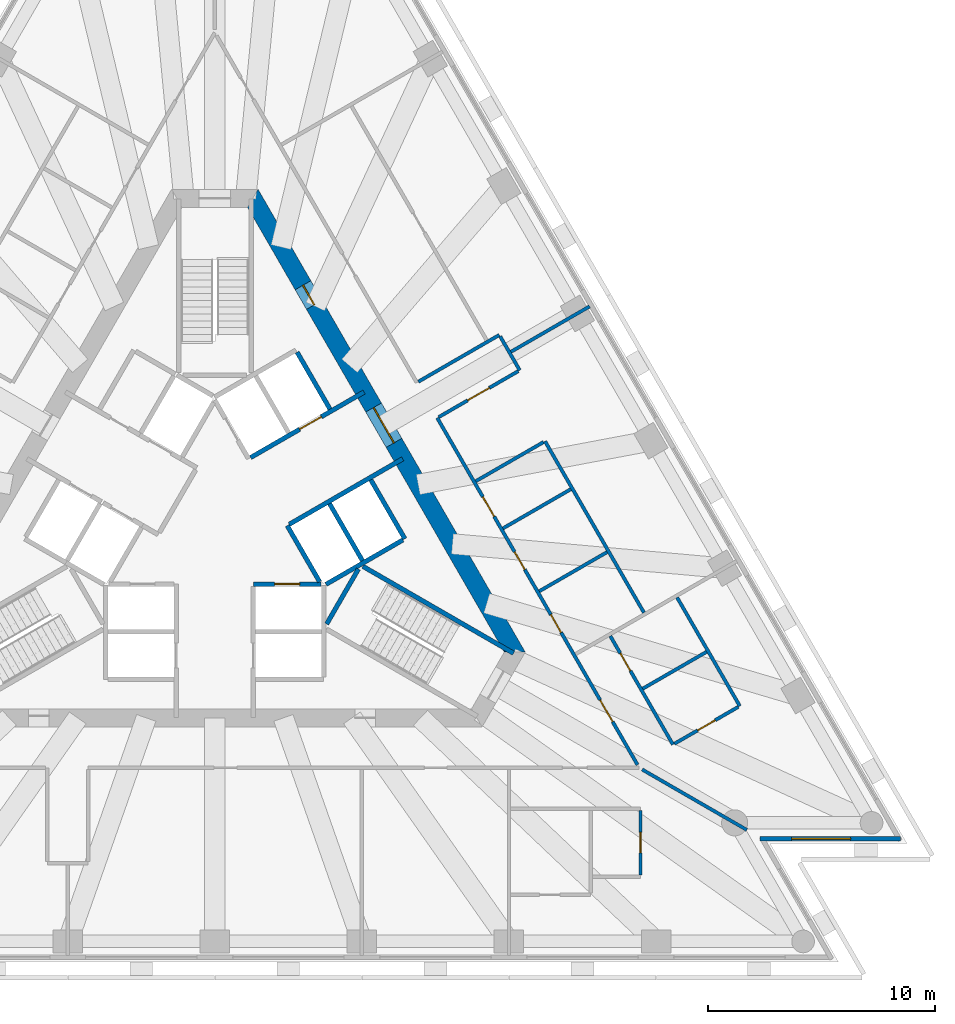
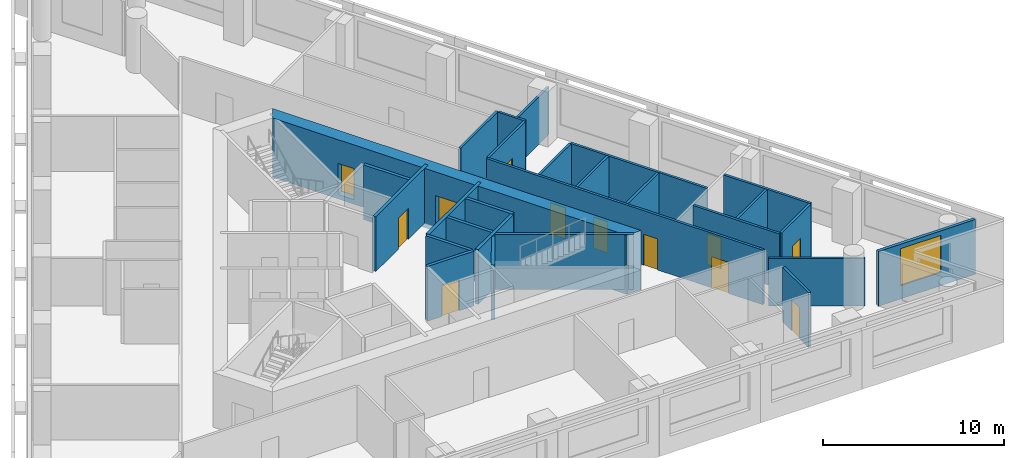
# One storey, part 5 of 9: 27 walls, 12 doors, 1 window, 13 openings.
"""IFC4 building model written with IfcOpenShell, lengths in metres."""

from ifc_helpers import new_model, si_unit, direction, frame, frame_2d, origin, place, context, subcontext, project, spatial, polyline, rectangle, outline, extrude, material, layer, layer_set, layer_usage, type_object, element, fill, save


model = new_model("IFC4")

# Units and contexts
model_context = context("Model", 3, precision=1e-05, world=origin(), true_north=direction((0.0, 1.0)))
body_context = subcontext(model_context, "Body", "Model", "MODEL_VIEW")
ifc_project = project(units=[si_unit("LENGTHUNIT", "METRE"), si_unit("AREAUNIT", "SQUARE_METRE"), si_unit("VOLUMEUNIT", "CUBIC_METRE"), si_unit("PLANEANGLEUNIT", "RADIAN"), si_unit("MASSUNIT", "GRAM", prefix="KILO")], contexts=[model_context])

# Site, building, storey
site_placement = place(None, origin())
site = spatial("IfcSite", under=ifc_project, at=site_placement, CompositionType="ELEMENT")
building_placement = place(site_placement, origin())
building = spatial("IfcBuilding", under=site, at=building_placement, Name="Triada Interchange Tower", CompositionType="ELEMENT")
storey_placement = place(building_placement, frame((0.0, 0.0, 172.300048828125)))
storey = spatial("IfcBuildingStorey", under=building, at=storey_placement, Name="L40", CompositionType="ELEMENT", Elevation=172.300048828125)

# Wall, opening, door
ifc_material_1 = material(Name="Concrete C30/37", Category="concrete")
ifc_layer_1 = layer(ifc_material_1, 0.199951171875)
ifc_layer_set_1 = layer_set([ifc_layer_1], Name="CORE WALL 200 EI 120")
wall_type_1 = type_object("IfcWallType", Name="CORE WALL 200 EI 120", PredefinedType="SOLIDWALL", material=ifc_layer_set_1)
wall_1_placement = place(storey_placement, frame((1.702880859375, -2.699951171875, 0.0), z_axis=(0.0, 0.0, 1.0), x_axis=(1.0, 0.0, 0.0)))
wall_1 = element("IfcWall", 1, at=wall_1_placement, inside=storey, type_object=wall_type_1, Name="Wall L38 57", PredefinedType="SOLIDWALL", context=body_context, shape_type="SweptSolid", body=[
    extrude(rectangle(XDim=2.97314453125, YDim=0.199951171875, at=frame_2d((1.486572265625, 0.0))), origin(), (0.0, 0.0, 1.0), 3.699951171875),
])
opening_1_placement = place(wall_1_placement, frame((0.93603515625, 0.0, 0.0)))
opening_1 = element("IfcOpeningElement", 2, at=opening_1_placement, cuts=wall_1, Name="Opening LD-LR1", PredefinedType="OPENING", context=body_context, shape_type="SweptSolid", body=[
    extrude(rectangle(XDim=1.10009765625, YDim=2.10009765625, at=frame_2d((0.550048828125, 1.050048828125))), frame((0.0, 0.10986328125, 0.0), z_axis=(0.0, -1.0, 0.0), x_axis=(1.0, 0.0, 0.0)), (0.0, 0.0, 1.0), 0.219970703125),
])
ifc_material_2 = material(Name="Steel S235 door leaf", Category="steel")
door_type_1 = type_object("IfcDoorType", Name="LIFT LANDING DOOR 1100 EI 120", OperationType="SLIDING_TO_LEFT", PredefinedType="DOOR", material=ifc_material_2)
door_1_placement = place(opening_1_placement, origin())
door_1 = element("IfcDoor", 3, at=door_1_placement, inside=storey, type_object=door_type_1, Name="LR1 landing door L40", OperationType="SLIDING_TO_LEFT", OverallHeight=2.10009765625, OverallWidth=1.10009765625, PredefinedType="DOOR", context=body_context, shape_type="SweptSolid", body=[
    extrude(rectangle(XDim=1.10009765625, YDim=2.10009765625, at=frame_2d((0.550048828125, 1.050048828125))), frame((0.0, 0.02490234375, 0.0), z_axis=(0.0, -1.0, 0.0), x_axis=(1.0, 0.0, 0.0)), (0.0, 0.0, 1.0), 0.050048828125),
])
fill(opening_1, door_1)

# Wall
wall_2_placement = place(storey_placement, frame((3.18994140625, -0.125, 0.0), z_axis=(0.0, 0.0, 1.0), x_axis=(0.499988658015, -0.866031951983, 0.0)))
element("IfcWall", 4, at=wall_2_placement, inside=storey, type_object=wall_type_1, Name="Wall L38 60", PredefinedType="SOLIDWALL", context=body_context, shape_type="SweptSolid", body=[
    extrude(rectangle(XDim=2.85791015625, YDim=0.199951171875, at=frame_2d((1.428955078125, 0.0))), origin(), (0.0, 0.0, 1.0), 3.699951171875),
])

# Wall, opening, door
wall_3_placement = place(storey_placement, frame((1.576904296875, 2.8740234375, 0.0), z_axis=(0.0, 0.0, 1.0), x_axis=(0.866073694534, 0.499916348638, 0.0)))
wall_3 = element("IfcWall", 5, at=wall_3_placement, inside=storey, type_object=wall_type_1, Name="Wall L38 61", PredefinedType="SOLIDWALL", context=body_context, shape_type="SweptSolid", body=[
    extrude(rectangle(XDim=5.77685546875, YDim=0.199951171875, at=frame_2d((2.888427734375, 0.0))), origin(), (0.0, 0.0, 1.0), 3.699951171875),
])
opening_2_placement = place(wall_3_placement, frame((2.4970703125, 0.0, 0.0)))
opening_2 = element("IfcOpeningElement", 6, at=opening_2_placement, cuts=wall_3, Name="Opening LD-LR6", PredefinedType="OPENING", context=body_context, shape_type="SweptSolid", body=[
    extrude(rectangle(XDim=1.10009765625, YDim=2.10009765625, at=frame_2d((0.550048828125, 1.050048828125))), frame((0.0, 0.10986328125, 0.0), z_axis=(0.0, -1.0, 0.0), x_axis=(1.0, 0.0, 0.0)), (0.0, 0.0, 1.0), 0.219970703125),
])
door_2_placement = place(opening_2_placement, origin())
door_2 = element("IfcDoor", 7, at=door_2_placement, inside=storey, type_object=door_type_1, Name="LR6 landing door L40", OperationType="SLIDING_TO_LEFT", OverallHeight=2.10009765625, OverallWidth=1.10009765625, PredefinedType="DOOR", context=body_context, shape_type="SweptSolid", body=[
    extrude(rectangle(XDim=1.10009765625, YDim=2.10009765625, at=frame_2d((0.550048828125, 1.050048828125))), frame((0.0, 0.02490234375, 0.0), z_axis=(0.0, -1.0, 0.0), x_axis=(1.0, 0.0, 0.0)), (0.0, 0.0, 1.0), 0.050048828125),
])
fill(opening_2, door_2)

# Walls
wall_4_placement = place(storey_placement, frame((3.6259765625, 7.52001953125, 0.0), z_axis=(0.0, 0.0, 1.0), x_axis=(0.500060147554, -0.865990674793, 0.0)))
element("IfcWall", 8, at=wall_4_placement, inside=storey, type_object=wall_type_1, Name="Wall L38 64", PredefinedType="SOLIDWALL", context=body_context, shape_type="SweptSolid", body=[
    extrude(rectangle(XDim=2.899658203125, YDim=0.199951171875, at=frame_2d((1.44970703125, 0.0))), origin(), (0.0, 0.0, 1.0), 3.699951171875),
])
wall_5_placement = place(storey_placement, frame((6.8759765625, 1.89111328125, 0.0), z_axis=(0.0, 0.0, 1.0), x_axis=(0.499990139034, -0.866031096941, 0.0)))
element("IfcWall", 9, at=wall_5_placement, inside=storey, type_object=wall_type_1, Name="Wall L38 65", PredefinedType="SOLIDWALL", context=body_context, shape_type="SweptSolid", body=[
    extrude(rectangle(XDim=3.0, YDim=0.199951171875, at=frame_2d((1.5, 0.0))), origin(), (0.0, 0.0, 1.0), 3.699951171875),
])
wall_6_placement = place(storey_placement, frame((5.056884765625, 0.841064453125, 0.0), z_axis=(0.0, 0.0, 1.0), x_axis=(0.50012328804, -0.865954211699, 0.0)))
element("IfcWall", 10, at=wall_6_placement, inside=storey, type_object=wall_type_1, Name="Wall L38 67", PredefinedType="SOLIDWALL", context=body_context, shape_type="SweptSolid", body=[
    extrude(rectangle(XDim=2.899658203125, YDim=0.199951171875, at=frame_2d((1.44970703125, 0.0))), origin(), (0.0, 0.0, 1.0), 3.699951171875),
])
wall_7_placement = place(storey_placement, frame((3.278076171875, -0.071044921875, 0.0), z_axis=(0.0, 0.0, 1.0), x_axis=(0.865929348003, 0.5001663366, 0.0)))
element("IfcWall", 11, at=wall_7_placement, inside=storey, type_object=wall_type_1, Name="Wall L38 68", PredefinedType="SOLIDWALL", context=body_context, shape_type="SweptSolid", body=[
    extrude(rectangle(XDim=5.7763671875, YDim=0.199951171875, at=frame_2d((2.88818359375, 0.0))), origin(), (0.0, 0.0, 1.0), 3.699951171875),
])
wall_8_placement = place(storey_placement, frame((4.89990234375, -2.714111328125, 0.0), z_axis=(0.0, 0.0, 1.0), x_axis=(0.865992350556, 0.500057245502, 0.0)))
element("IfcWall", 12, at=wall_8_placement, inside=storey, type_object=wall_type_1, Name="Wall L38 69", PredefinedType="SOLIDWALL", context=body_context, shape_type="SweptSolid", body=[
    extrude(rectangle(XDim=3.91357421875, YDim=0.199951171875, at=frame_2d((1.956787109375, 0.0))), origin(), (0.0, 0.0, 1.0), 3.699951171875),
])
ifc_layer_2 = layer(ifc_material_1, 0.199951171875)
ifc_layer_set_2 = layer_set([ifc_layer_2], Name="CORE WALL 200 REI 240")
wall_type_2 = type_object("IfcWallType", Name="CORE WALL 200 REI 240", PredefinedType="SOLIDWALL", material=ifc_layer_set_2)
wall_9_placement = place(storey_placement, frame((4.928955078125, -4.4619140625, 0.0), z_axis=(0.0, 0.0, 1.0), x_axis=(0.500200581029, 0.865909567298, 0.0)))
element("IfcWall", 13, at=wall_9_placement, inside=storey, type_object=wall_type_2, Name="Wall L38 92", PredefinedType="SOLIDWALL", context=body_context, shape_type="SweptSolid", body=[
    extrude(rectangle(XDim=2.799072265625, YDim=0.199951171875, at=frame_2d((1.3994140625, 0.0))), origin(), (0.0, 0.0, 1.0), 3.699951171875),
])
wall_10_placement = place(storey_placement, frame((6.529052734375, -1.922119140625, 0.0), z_axis=(0.0, 0.0, 1.0), x_axis=(0.866060938598, -0.499938446846, 0.0)))
element("IfcWall", 14, at=wall_10_placement, inside=storey, type_object=wall_type_2, Name="Wall L38 93", PredefinedType="SOLIDWALL", context=body_context, shape_type="SweptSolid", body=[
    extrude(rectangle(XDim=7.66455078125, YDim=0.199951171875, at=frame_2d((3.832275390625, 0.0))), origin(), (0.0, 0.0, 1.0), 3.699951171875),
])

# Wall, openings, doors
ifc_material_3 = material(Name="Concrete C60/75", Category="concrete")
ifc_layer_3 = layer(ifc_material_3, 0.800048828125)
ifc_layer_set_3 = layer_set([ifc_layer_3], Name="Core wall B 800")
wall_type_3 = type_object("IfcWallType", Name="Core wall B 800", PredefinedType="SHEAR", material=ifc_layer_set_3)
wall_11_placement = place(storey_placement, frame((13.220947265625, -5.699951171875, -0.300048828125), z_axis=(0.0, 0.0, 1.0), x_axis=(-0.499995765644, 0.866027848477, 0.0)))
wall_11 = element("IfcWall", 15, at=wall_11_placement, inside=storey, type_object=wall_type_3, Name="Core wall WB06 L40", PredefinedType="SHEAR", context=body_context, shape_type="SweptSolid", body=[
    extrude(outline(polyline([(-0.23095703125, -0.39990234375), (1.73193359375, -0.39990234375), (3.695068359375, -0.39990234375), (5.657958984375, -0.39990234375), (7.62109375, -0.39990234375), (9.583984375, -0.39990234375), (11.546875, -0.39990234375), (13.510009765625, -0.39990234375), (15.472900390625, -0.39990234375), (17.43603515625, -0.39990234375), (19.39892578125, -0.39990234375), (21.362060546875, -0.39990234375), (23.324951171875, -0.39990234375), (22.863037109375, 0.39990234375), (20.97705078125, 0.39990234375), (19.091064453125, 0.39990234375), (17.205078125, 0.39990234375), (15.319091796875, 0.39990234375), (13.43310546875, 0.39990234375), (11.546875, 0.39990234375), (9.660888671875, 0.39990234375), (7.77490234375, 0.39990234375), (5.888916015625, 0.39990234375), (4.0029296875, 0.39990234375), (2.116943359375, 0.39990234375), (0.23095703125, 0.39990234375), (-0.23095703125, -0.39990234375)])), origin(), (0.0, 0.0, 1.0), 4.0),
])
opening_3_placement = place(wall_11_placement, frame((10.64697265625, 0.0, 0.300048828125)))
opening_3 = element("IfcOpeningElement", 16, at=opening_3_placement, cuts=wall_11, Name="Opening D38-35", PredefinedType="OPENING", context=body_context, shape_type="SweptSolid", body=[
    extrude(rectangle(XDim=1.800048828125, YDim=2.10009765625, at=frame_2d((0.89990234375, 1.050048828125))), frame((0.0, 0.409912109375, 0.0), z_axis=(0.0, -1.0, 0.0), x_axis=(1.0, 0.0, 0.0)), (0.0, 0.0, 1.0), 0.820068359375),
])
opening_4_placement = place(wall_11_placement, frame((17.6708984375, 0.0, 0.300048828125)))
opening_4 = element("IfcOpeningElement", 17, at=opening_4_placement, cuts=wall_11, Name="Opening D38-41", PredefinedType="OPENING", context=body_context, shape_type="SweptSolid", body=[
    extrude(rectangle(XDim=1.0, YDim=2.10009765625, at=frame_2d((0.5, 1.050048828125))), frame((0.0, 0.409912109375, 0.0), z_axis=(0.0, -1.0, 0.0), x_axis=(1.0, 0.0, 0.0)), (0.0, 0.0, 1.0), 0.820068359375),
])
door_type_2 = type_object("IfcDoorType", Name="LOBBY DOOR 1800 EI2 90-C5S200", OperationType="DOUBLE_DOOR_SINGLE_SWING", PredefinedType="DOOR", material=ifc_material_2)
door_3_placement = place(opening_3_placement, origin())
door_3 = element("IfcDoor", 18, at=door_3_placement, inside=storey, type_object=door_type_2, Name="Door D38-35 L40", OperationType="DOUBLE_DOOR_SINGLE_SWING", OverallHeight=2.10009765625, OverallWidth=1.800048828125, PredefinedType="DOOR", context=body_context, shape_type="SweptSolid", body=[
    extrude(rectangle(XDim=1.800048828125, YDim=2.10009765625, at=frame_2d((0.89990234375, 1.050048828125))), frame((0.0, 0.02490234375, 0.0), z_axis=(0.0, -1.0, 0.0), x_axis=(1.0, 0.0, 0.0)), (0.0, 0.0, 1.0), 0.050048828125),
])
fill(opening_3, door_3)
door_type_3 = type_object("IfcDoorType", Name="SERVICE DOOR 1000 EI2 45-C5S200", OperationType="NOTDEFINED", PredefinedType="DOOR", material=ifc_material_2)
door_4_placement = place(opening_4_placement, origin())
door_4 = element("IfcDoor", 19, at=door_4_placement, inside=storey, type_object=door_type_3, Name="Door D38-41 L40", OperationType="SINGLE_SWING_RIGHT", OverallHeight=2.10009765625, OverallWidth=1.0, PredefinedType="DOOR", context=body_context, shape_type="SweptSolid", body=[
    extrude(rectangle(XDim=1.0, YDim=2.10009765625, at=frame_2d((0.5, 1.050048828125))), frame((0.0, 0.02490234375, 0.0), z_axis=(0.0, -1.0, 0.0), x_axis=(1.0, 0.0, 0.0)), (0.0, 0.0, 1.0), 0.050048828125),
])
fill(opening_4, door_4)

# Wall, opening, window
ifc_material_4 = material(Name="Cement board")
ifc_layer_4 = layer(ifc_material_4, 0.02001953125, Name="Cement board cladding")
ifc_material_5 = material(Name="Sheathing board")
ifc_layer_5 = layer(ifc_material_5, 0.014892578125, Name="Sheathing board")
ifc_material_6 = material(Name="Mineral wool")
ifc_layer_6 = layer(ifc_material_6, 0.14990234375, Name="Mineral wool between steel studs")
ifc_material_7 = material(Name="Gypsum board")
ifc_layer_7 = layer(ifc_material_7, 0.014892578125, Name="Plasterboard lining")
ifc_layer_set_4 = layer_set([ifc_layer_4, ifc_layer_5, ifc_layer_6, ifc_layer_7], Name="External wall 200")
ifc_layer_usage = layer_usage(ifc_layer_set_4, "AXIS2", "POSITIVE", -0.10009765625)
wall_type_4 = type_object("IfcWallType", Name="External wall 200", PredefinedType="ELEMENTEDWALL", material=ifc_layer_set_4)
wall_12_placement = place(storey_placement, frame((24.034912109375, -13.927978515625, 0.0), z_axis=(0.0, 0.0, 1.0), x_axis=(1.0, 0.0, 0.0)))
wall_12 = element("IfcWall", 20, at=wall_12_placement, inside=storey, type_object=wall_type_4, material=ifc_layer_usage, Name="External wall L40 SE-2", PredefinedType="ELEMENTEDWALL", context=body_context, shape_type="SweptSolid", body=[
    extrude(rectangle(XDim=6.194091796875, YDim=0.199951171875, at=frame_2d((3.09716796875, 0.0))), origin(), (0.0, 0.0, 1.0), 3.699951171875),
])
opening_5_placement = place(wall_12_placement, frame((1.389892578125, 0.0, 0.89990234375)))
opening_5 = element("IfcOpeningElement", 21, at=opening_5_placement, cuts=wall_12, Name="Opening WB20", PredefinedType="OPENING", context=body_context, shape_type="SweptSolid", body=[
    extrude(rectangle(XDim=2.60009765625, YDim=2.5, at=frame_2d((1.300048828125, 1.25))), frame((0.0, 0.10986328125, 0.0), z_axis=(0.0, -1.0, 0.0), x_axis=(1.0, 0.0, 0.0)), (0.0, 0.0, 1.0), 0.219970703125),
])
ifc_material_8 = material(Name="Double glazed aluminium window", Category="aluminium")
window_type = type_object("IfcWindowType", Name="Ribbon window B pocket", PartitioningType="SINGLE_PANEL", PredefinedType="WINDOW", material=ifc_material_8)
window_placement = place(opening_5_placement, origin())
window = element("IfcWindow", 22, at=window_placement, inside=storey, type_object=window_type, Name="Window L40 SE-2 1", OverallHeight=2.5, OverallWidth=2.60009765625, PartitioningType="SINGLE_PANEL", PredefinedType="WINDOW", context=body_context, shape_type="SweptSolid", body=[
    extrude(rectangle(XDim=2.60009765625, YDim=2.5, at=frame_2d((1.300048828125, 1.25))), frame((0.0, 0.030029296875, 0.0), z_axis=(0.0, -1.0, 0.0), x_axis=(1.0, 0.0, 0.0)), (0.0, 0.0, 1.0), 0.06005859375),
])
fill(opening_5, window)

# Walls
ifc_material_9 = material(Name="Gypsum board partition")
ifc_layer_8 = layer(ifc_material_9, 0.14990234375)
ifc_layer_set_5 = layer_set([ifc_layer_8], Name="PARTITION 150 EI 180")
wall_type_5 = type_object("IfcWallType", Name="PARTITION 150 EI 180", PredefinedType="PARTITIONING", material=ifc_layer_set_5)
wall_13_placement = place(storey_placement, frame((13.054931640625, 7.537109375, 0.0), z_axis=(0.0, 0.0, 1.0), x_axis=(0.866026010844, 0.49999894854, 0.0)))
element("IfcWall", 23, at=wall_13_placement, inside=storey, type_object=wall_type_5, Name="Wall L38 2", PredefinedType="PARTITIONING", context=body_context, shape_type="SweptSolid", body=[
    extrude(rectangle(XDim=4.0, YDim=0.14990234375, at=frame_2d((2.0, 0.0))), origin(), (0.0, 0.0, 1.0), 3.199951171875),
])
wall_14_placement = place(storey_placement, frame((18.8349609375, -10.875, 0.0), z_axis=(0.0, 0.0, 1.0), x_axis=(0.866012362072, -0.500022588228, 0.0)))
element("IfcWall", 24, at=wall_14_placement, inside=storey, type_object=wall_type_5, Name="Wall L38 11", PredefinedType="PARTITIONING", context=body_context, shape_type="SweptSolid", body=[
    extrude(rectangle(XDim=5.327880859375, YDim=0.14990234375, at=frame_2d((2.6640625, 0.0))), origin(), (0.0, 0.0, 1.0), 3.199951171875),
])

# Wall, openings, doors
wall_15_placement = place(storey_placement, frame((9.803955078125, 4.6201171875, 0.0), z_axis=(0.0, 0.0, 1.0), x_axis=(0.500000173646, -0.86602530353, 0.0)))
wall_15 = element("IfcWall", 25, at=wall_15_placement, inside=storey, type_object=wall_type_5, Name="Wall L38 26", PredefinedType="PARTITIONING", context=body_context, shape_type="SweptSolid", body=[
    extrude(rectangle(XDim=17.654296875, YDim=0.14990234375, at=frame_2d((8.8271484375, 0.0))), origin(), (0.0, 0.0, 1.0), 3.699951171875),
])
opening_6_placement = place(wall_15_placement, frame((14.35400390625, 0.0, 0.0)))
opening_6 = element("IfcOpeningElement", 26, at=opening_6_placement, cuts=wall_15, Name="Opening D38-17", PredefinedType="OPENING", context=body_context, shape_type="SweptSolid", body=[
    extrude(rectangle(XDim=1.10009765625, YDim=2.10009765625, at=frame_2d((0.550048828125, 1.050048828125))), frame((0.0, 0.0849609375, 0.0), z_axis=(0.0, -1.0, 0.0), x_axis=(1.0, 0.0, 0.0)), (0.0, 0.0, 1.0), 0.169921875),
])
opening_7_placement = place(wall_15_placement, frame((10.013916015625, 0.0, 0.0)))
opening_7 = element("IfcOpeningElement", 27, at=opening_7_placement, cuts=wall_15, Name="Opening D38-21", PredefinedType="OPENING", context=body_context, shape_type="SweptSolid", body=[
    extrude(rectangle(XDim=0.89990234375, YDim=2.10009765625, at=frame_2d((0.449951171875, 1.050048828125))), frame((0.0, 0.0849609375, 0.0), z_axis=(0.0, -1.0, 0.0), x_axis=(1.0, 0.0, 0.0)), (0.0, 0.0, 1.0), 0.169921875),
])
opening_8_placement = place(wall_15_placement, frame((6.81396484375, 0.0, 0.0)))
opening_8 = element("IfcOpeningElement", 28, at=opening_8_placement, cuts=wall_15, Name="Opening D38-22", PredefinedType="OPENING", context=body_context, shape_type="SweptSolid", body=[
    extrude(rectangle(XDim=0.89990234375, YDim=2.10009765625, at=frame_2d((0.449951171875, 1.050048828125))), frame((0.0, 0.0849609375, 0.0), z_axis=(0.0, -1.0, 0.0), x_axis=(1.0, 0.0, 0.0)), (0.0, 0.0, 1.0), 0.169921875),
])
opening_9_placement = place(wall_15_placement, frame((4.013916015625, 0.0, 0.0)))
opening_9 = element("IfcOpeningElement", 29, at=opening_9_placement, cuts=wall_15, Name="Opening D38-23", PredefinedType="OPENING", context=body_context, shape_type="SweptSolid", body=[
    extrude(rectangle(XDim=1.0, YDim=2.10009765625, at=frame_2d((0.5, 1.050048828125))), frame((0.0, 0.0849609375, 0.0), z_axis=(0.0, -1.0, 0.0), x_axis=(1.0, 0.0, 0.0)), (0.0, 0.0, 1.0), 0.169921875),
])
door_type_4 = type_object("IfcDoorType", Name="ROOM DOOR 1000 EI2 90-C5S200", OperationType="NOTDEFINED", PredefinedType="DOOR", material=ifc_material_2)
door_5_placement = place(opening_9_placement, origin())
door_5 = element("IfcDoor", 30, at=door_5_placement, inside=storey, type_object=door_type_4, Name="Door D38-23 L40", OperationType="SINGLE_SWING_LEFT", OverallHeight=2.10009765625, OverallWidth=1.0, PredefinedType="DOOR", context=body_context, shape_type="SweptSolid", body=[
    extrude(rectangle(XDim=1.0, YDim=2.10009765625, at=frame_2d((0.5, 1.050048828125))), frame((0.0, 0.02490234375, 0.0), z_axis=(0.0, -1.0, 0.0), x_axis=(1.0, 0.0, 0.0)), (0.0, 0.0, 1.0), 0.050048828125),
])
fill(opening_9, door_5)
door_type_5 = type_object("IfcDoorType", Name="ROOM DOOR 900 EI2 90-C5S200", OperationType="NOTDEFINED", PredefinedType="DOOR", material=ifc_material_2)
door_6_placement = place(opening_7_placement, origin())
door_6 = element("IfcDoor", 31, at=door_6_placement, inside=storey, type_object=door_type_5, Name="Door D38-21 L40", OperationType="SINGLE_SWING_LEFT", OverallHeight=2.10009765625, OverallWidth=0.89990234375, PredefinedType="DOOR", context=body_context, shape_type="SweptSolid", body=[
    extrude(rectangle(XDim=0.89990234375, YDim=2.10009765625, at=frame_2d((0.449951171875, 1.050048828125))), frame((0.0, 0.02490234375, 0.0), z_axis=(0.0, -1.0, 0.0), x_axis=(1.0, 0.0, 0.0)), (0.0, 0.0, 1.0), 0.050048828125),
])
fill(opening_7, door_6)
door_7_placement = place(opening_8_placement, origin())
door_7 = element("IfcDoor", 32, at=door_7_placement, inside=storey, type_object=door_type_5, Name="Door D38-22 L40", OperationType="SINGLE_SWING_LEFT", OverallHeight=2.10009765625, OverallWidth=0.89990234375, PredefinedType="DOOR", context=body_context, shape_type="SweptSolid", body=[
    extrude(rectangle(XDim=0.89990234375, YDim=2.10009765625, at=frame_2d((0.449951171875, 1.050048828125))), frame((0.0, 0.02490234375, 0.0), z_axis=(0.0, -1.0, 0.0), x_axis=(1.0, 0.0, 0.0)), (0.0, 0.0, 1.0), 0.050048828125),
])
fill(opening_8, door_7)
door_type_6 = type_object("IfcDoorType", Name="TENANCY ENTRANCE DOOR 1100 EI2 90-C5S200", OperationType="NOTDEFINED", PredefinedType="DOOR", material=ifc_material_2)
door_8_placement = place(opening_6_placement, origin())
door_8 = element("IfcDoor", 33, at=door_8_placement, inside=storey, type_object=door_type_6, Name="Door D38-17 L40", OperationType="SINGLE_SWING_RIGHT", OverallHeight=2.10009765625, OverallWidth=1.10009765625, PredefinedType="DOOR", context=body_context, shape_type="SweptSolid", body=[
    extrude(rectangle(XDim=1.10009765625, YDim=2.10009765625, at=frame_2d((0.550048828125, 1.050048828125))), frame((0.0, 0.02490234375, 0.0), z_axis=(0.0, -1.0, 0.0), x_axis=(1.0, 0.0, 0.0)), (0.0, 0.0, 1.0), 0.050048828125),
])
fill(opening_6, door_8)

# Walls
wall_16_placement = place(storey_placement, frame((8.968994140625, 6.217041015625, 0.0), z_axis=(0.0, 0.0, 1.0), x_axis=(0.865997263264, 0.500048737644, 0.0)))
element("IfcWall", 34, at=wall_16_placement, inside=storey, type_object=wall_type_5, Name="Wall L38 28", PredefinedType="PARTITIONING", context=body_context, shape_type="SweptSolid", body=[
    extrude(rectangle(XDim=4.12353515625, YDim=0.14990234375, at=frame_2d((2.061767578125, 0.0))), origin(), (0.0, 0.0, 1.0), 3.699951171875),
])
wall_17_placement = place(storey_placement, frame((12.577880859375, 8.214111328125, 0.0), z_axis=(0.0, 0.0, 1.0), x_axis=(0.499746958151, -0.866171448282, 0.0)))
element("IfcWall", 35, at=wall_17_placement, inside=storey, type_object=wall_type_5, Name="Wall L38 29", PredefinedType="PARTITIONING", context=body_context, shape_type="SweptSolid", body=[
    extrude(rectangle(XDim=1.72509765625, YDim=0.14990234375, at=frame_2d((0.862548828125, 0.0))), origin(), (0.0, 0.0, 1.0), 3.699951171875),
])
wall_18_placement = place(storey_placement, frame((14.552978515625, 3.593017578125, 0.0), z_axis=(0.0, 0.0, 1.0), x_axis=(0.500054279689, -0.865994063124, 0.0)))
element("IfcWall", 36, at=wall_18_placement, inside=storey, type_object=wall_type_5, Name="Wall L38 31", PredefinedType="PARTITIONING", context=body_context, shape_type="SweptSolid", body=[
    extrude(rectangle(XDim=8.72509765625, YDim=0.14990234375, at=frame_2d((4.362548828125, 0.0))), origin(), (0.0, 0.0, 1.0), 3.699951171875),
])
wall_19_placement = place(storey_placement, frame((11.5, 1.8310546875, 0.0), z_axis=(0.0, 0.0, 1.0), x_axis=(0.866061862632, 0.499936846106, 0.0)))
element("IfcWall", 37, at=wall_19_placement, inside=storey, type_object=wall_type_5, Name="Wall L38 32", PredefinedType="PARTITIONING", context=body_context, shape_type="SweptSolid", body=[
    extrude(rectangle(XDim=3.4501953125, YDim=0.14990234375, at=frame_2d((1.72509765625, 0.0))), origin(), (0.0, 0.0, 1.0), 3.699951171875),
])

# Wall, opening, door
wall_20_placement = place(storey_placement, frame((9.868896484375, 4.657958984375, 0.0), z_axis=(0.0, 0.0, 1.0), x_axis=(0.865929493314, 0.500166085025, 0.0)))
wall_20 = element("IfcWall", 38, at=wall_20_placement, inside=storey, type_object=wall_type_5, Name="Wall L38 33", PredefinedType="PARTITIONING", context=body_context, shape_type="SweptSolid", body=[
    extrude(rectangle(XDim=4.048828125, YDim=0.14990234375, at=frame_2d((2.0244140625, 0.0))), origin(), (0.0, 0.0, 1.0), 3.699951171875),
])
opening_10_placement = place(wall_20_placement, frame((1.47412109375, 0.0, 0.0)))
opening_10 = element("IfcOpeningElement", 39, at=opening_10_placement, cuts=wall_20, Name="Opening D38-20", PredefinedType="OPENING", context=body_context, shape_type="SweptSolid", body=[
    extrude(rectangle(XDim=1.10009765625, YDim=2.10009765625, at=frame_2d((0.550048828125, 1.050048828125))), frame((0.0, 0.0849609375, 0.0), z_axis=(0.0, -1.0, 0.0), x_axis=(1.0, 0.0, 0.0)), (0.0, 0.0, 1.0), 0.169921875),
])
door_9_placement = place(opening_10_placement, origin())
door_9 = element("IfcDoor", 40, at=door_9_placement, inside=storey, type_object=door_type_6, Name="Door D38-20 L40", OperationType="SINGLE_SWING_LEFT", OverallHeight=2.10009765625, OverallWidth=1.10009765625, PredefinedType="DOOR", context=body_context, shape_type="SweptSolid", body=[
    extrude(rectangle(XDim=1.10009765625, YDim=2.10009765625, at=frame_2d((0.550048828125, 1.050048828125))), frame((0.0, 0.02490234375, 0.0), z_axis=(0.0, -1.0, 0.0), x_axis=(1.0, 0.0, 0.0)), (0.0, 0.0, 1.0), 0.050048828125),
])
fill(opening_10, door_9)

# Walls
for number, where, z_axis, x_axis, name in (
    (41, (12.699951171875, -0.248046875, 0.0), (0.0, 0.0, 1.0), (0.866031223622, 0.49998991961, 0.0), "Wall L38 34"),
    (42, (14.300048828125, -3.01904296875, 0.0), (0.0, 0.0, 1.0), (0.866031223622, 0.49998991961, 0.0), "Wall L38 36"),
):
    element("IfcWall", number, at=place(storey_placement, frame(where, z_axis=z_axis, x_axis=x_axis)), inside=storey, type_object=wall_type_5, Name=name, PredefinedType="PARTITIONING", context=body_context, shape_type="SweptSolid", body=[
        extrude(rectangle(XDim=3.4501953125, YDim=0.14990234375, at=frame_2d((1.72509765625, 0.0))), origin(), (0.0, 0.0, 1.0), 3.699951171875),
    ])

# Wall, opening, door
ifc_layer_9 = layer(ifc_material_9, 0.14990234375)
ifc_layer_set_6 = layer_set([ifc_layer_9], Name="PARTITION 150 EI 90")
wall_type_6 = type_object("IfcWallType", Name="PARTITION 150 EI 90", PredefinedType="PARTITIONING", material=ifc_layer_set_6)
wall_21_placement = place(storey_placement, frame((18.763916015625, -15.52490234375, 0.0), z_axis=(0.0, 0.0, 1.0), x_axis=(0.0, 1.0, 0.0)))
wall_21 = element("IfcWall", 43, at=wall_21_placement, inside=storey, type_object=wall_type_6, Name="Wall L38 43", PredefinedType="PARTITIONING", context=body_context, shape_type="SweptSolid", body=[
    extrude(rectangle(XDim=2.849853515625, YDim=0.14990234375, at=frame_2d((1.4248046875, 0.0))), origin(), (0.0, 0.0, 1.0), 3.699951171875),
])
opening_11_placement = place(wall_21_placement, frame((0.97509765625, 0.0, 0.0)))
opening_11 = element("IfcOpeningElement", 44, at=opening_11_placement, cuts=wall_21, Name="Opening D38-16", PredefinedType="OPENING", context=body_context, shape_type="SweptSolid", body=[
    extrude(rectangle(XDim=0.89990234375, YDim=2.10009765625, at=frame_2d((0.449951171875, 1.050048828125))), frame((0.0, 0.0849609375, 0.0), z_axis=(0.0, -1.0, 0.0), x_axis=(1.0, 0.0, 0.0)), (0.0, 0.0, 1.0), 0.169921875),
])
door_type_7 = type_object("IfcDoorType", Name="SERVICE DOOR 900 EI2 45-C5S200", OperationType="NOTDEFINED", PredefinedType="DOOR", material=ifc_material_2)
door_10_placement = place(opening_11_placement, origin())
door_10 = element("IfcDoor", 45, at=door_10_placement, inside=storey, type_object=door_type_7, Name="Door D38-16 L40", OperationType="SINGLE_SWING_RIGHT", OverallHeight=2.10009765625, OverallWidth=0.89990234375, PredefinedType="DOOR", context=body_context, shape_type="SweptSolid", body=[
    extrude(rectangle(XDim=0.89990234375, YDim=2.10009765625, at=frame_2d((0.449951171875, 1.050048828125))), frame((0.0, 0.02490234375, 0.0), z_axis=(0.0, -1.0, 0.0), x_axis=(1.0, 0.0, 0.0)), (0.0, 0.0, 1.0), 0.050048828125),
])
fill(opening_11, door_10)

# Walls
wall_22_placement = place(storey_placement, frame((18.85888671875, -7.31494140625, 0.0), z_axis=(0.0, 0.0, 1.0), x_axis=(0.866071776036, 0.499919672301, 0.0)))
element("IfcWall", 46, at=wall_22_placement, inside=storey, type_object=wall_type_6, Name="Wall L38 44", PredefinedType="PARTITIONING", context=body_context, shape_type="SweptSolid", body=[
    extrude(rectangle(XDim=3.25048828125, YDim=0.14990234375, at=frame_2d((1.625244140625, 0.0))), origin(), (0.0, 0.0, 1.0), 3.699951171875),
])
wall_23_placement = place(storey_placement, frame((20.3759765625, -3.29296875, 0.0), z_axis=(0.0, 0.0, 1.0), x_axis=(0.500050108258, -0.865996471835, 0.0)))
element("IfcWall", 47, at=wall_23_placement, inside=storey, type_object=wall_type_6, Name="Wall L38 45", PredefinedType="PARTITIONING", context=body_context, shape_type="SweptSolid", body=[
    extrude(rectangle(XDim=5.525390625, YDim=0.14990234375, at=frame_2d((2.7626953125, 0.0))), origin(), (0.0, 0.0, 1.0), 3.699951171875),
])

# Wall, opening, door
wall_24_placement = place(storey_placement, frame((17.431884765625, -4.992919921875, 0.0), z_axis=(0.0, 0.0, 1.0), x_axis=(0.499931554694, -0.866064917094, 0.0)))
wall_24 = element("IfcWall", 48, at=wall_24_placement, inside=storey, type_object=wall_type_6, Name="Wall L38 46", PredefinedType="PARTITIONING", context=body_context, shape_type="SweptSolid", body=[
    extrude(rectangle(XDim=5.525146484375, YDim=0.14990234375, at=frame_2d((2.7626953125, 0.0))), origin(), (0.0, 0.0, 1.0), 3.699951171875),
])
opening_12_placement = place(wall_24_placement, frame((0.875, 0.0, 0.0)))
opening_12 = element("IfcOpeningElement", 49, at=opening_12_placement, cuts=wall_24, Name="Opening D38-18", PredefinedType="OPENING", context=body_context, shape_type="SweptSolid", body=[
    extrude(rectangle(XDim=0.89990234375, YDim=2.10009765625, at=frame_2d((0.449951171875, 1.050048828125))), frame((0.0, 0.0849609375, 0.0), z_axis=(0.0, -1.0, 0.0), x_axis=(1.0, 0.0, 0.0)), (0.0, 0.0, 1.0), 0.169921875),
])
door_type_8 = type_object("IfcDoorType", Name="ROOM DOOR 900 EI2 45-C5S200", OperationType="NOTDEFINED", PredefinedType="DOOR", material=ifc_material_2)
door_11_placement = place(opening_12_placement, origin())
door_11 = element("IfcDoor", 50, at=door_11_placement, inside=storey, type_object=door_type_8, Name="Door D38-18 L40", OperationType="SINGLE_SWING_LEFT", OverallHeight=2.10009765625, OverallWidth=0.89990234375, PredefinedType="DOOR", context=body_context, shape_type="SweptSolid", body=[
    extrude(rectangle(XDim=0.89990234375, YDim=2.10009765625, at=frame_2d((0.449951171875, 1.050048828125))), frame((0.0, 0.02490234375, 0.0), z_axis=(0.0, -1.0, 0.0), x_axis=(1.0, 0.0, 0.0)), (0.0, 0.0, 1.0), 0.050048828125),
])
fill(opening_12, door_11)

wall_25_placement = place(storey_placement, frame((20.259033203125, -9.739990234375, 0.0), z_axis=(0.0, 0.0, 1.0), x_axis=(0.866053003207, 0.499952193351, 0.0)))
wall_25 = element("IfcWall", 51, at=wall_25_placement, inside=storey, type_object=wall_type_6, Name="Wall L38 47", PredefinedType="PARTITIONING", context=body_context, shape_type="SweptSolid", body=[
    extrude(rectangle(XDim=3.250244140625, YDim=0.14990234375, at=frame_2d((1.625, 0.0))), origin(), (0.0, 0.0, 1.0), 3.699951171875),
])
opening_13_placement = place(wall_25_placement, frame((1.175048828125, 0.0, 0.0)))
opening_13 = element("IfcOpeningElement", 52, at=opening_13_placement, cuts=wall_25, Name="Opening D38-19", PredefinedType="OPENING", context=body_context, shape_type="SweptSolid", body=[
    extrude(rectangle(XDim=0.89990234375, YDim=2.10009765625, at=frame_2d((0.449951171875, 1.050048828125))), frame((0.0, 0.0849609375, 0.0), z_axis=(0.0, -1.0, 0.0), x_axis=(1.0, 0.0, 0.0)), (0.0, 0.0, 1.0), 0.169921875),
])
door_12_placement = place(opening_13_placement, origin())
door_12 = element("IfcDoor", 53, at=door_12_placement, inside=storey, type_object=door_type_8, Name="Door D38-19 L40", OperationType="SINGLE_SWING_LEFT", OverallHeight=2.10009765625, OverallWidth=0.89990234375, PredefinedType="DOOR", context=body_context, shape_type="SweptSolid", body=[
    extrude(rectangle(XDim=0.89990234375, YDim=2.10009765625, at=frame_2d((0.449951171875, 1.050048828125))), frame((0.0, 0.02490234375, 0.0), z_axis=(0.0, -1.0, 0.0), x_axis=(1.0, 0.0, 0.0)), (0.0, 0.0, 1.0), 0.050048828125),
])
fill(opening_13, door_12)

save(model, "model.ifc")
